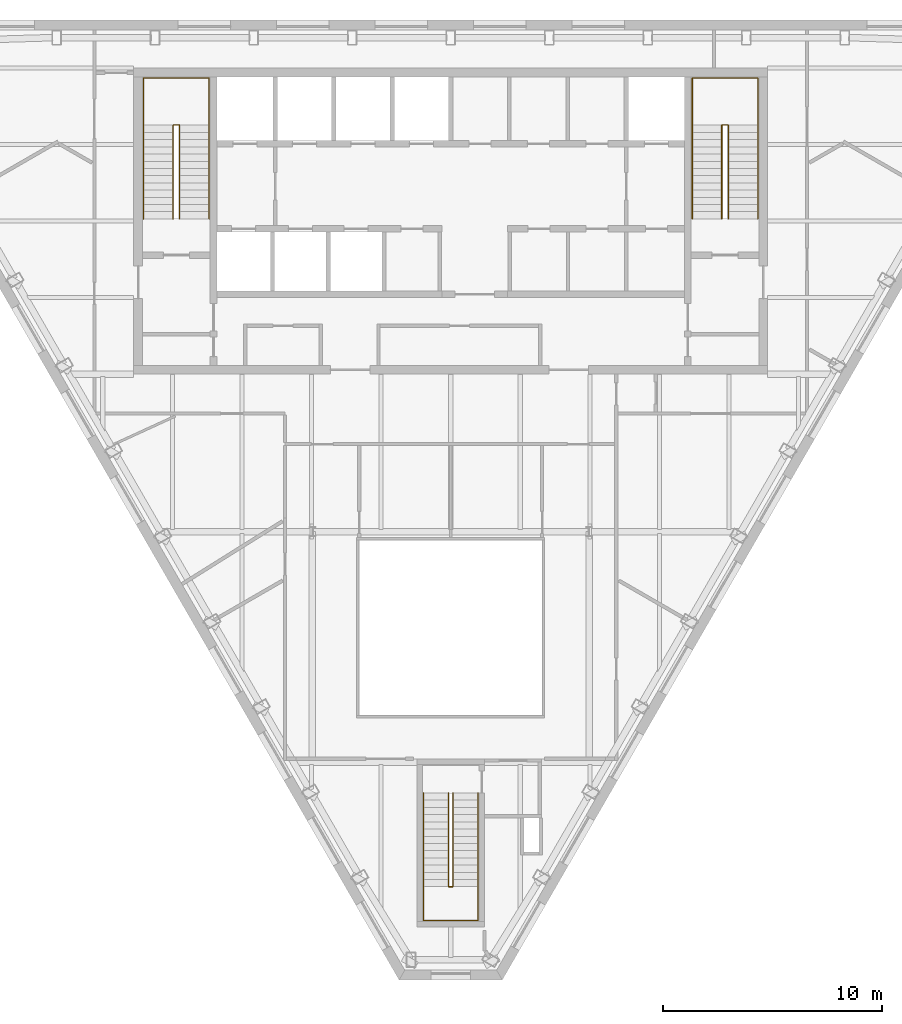
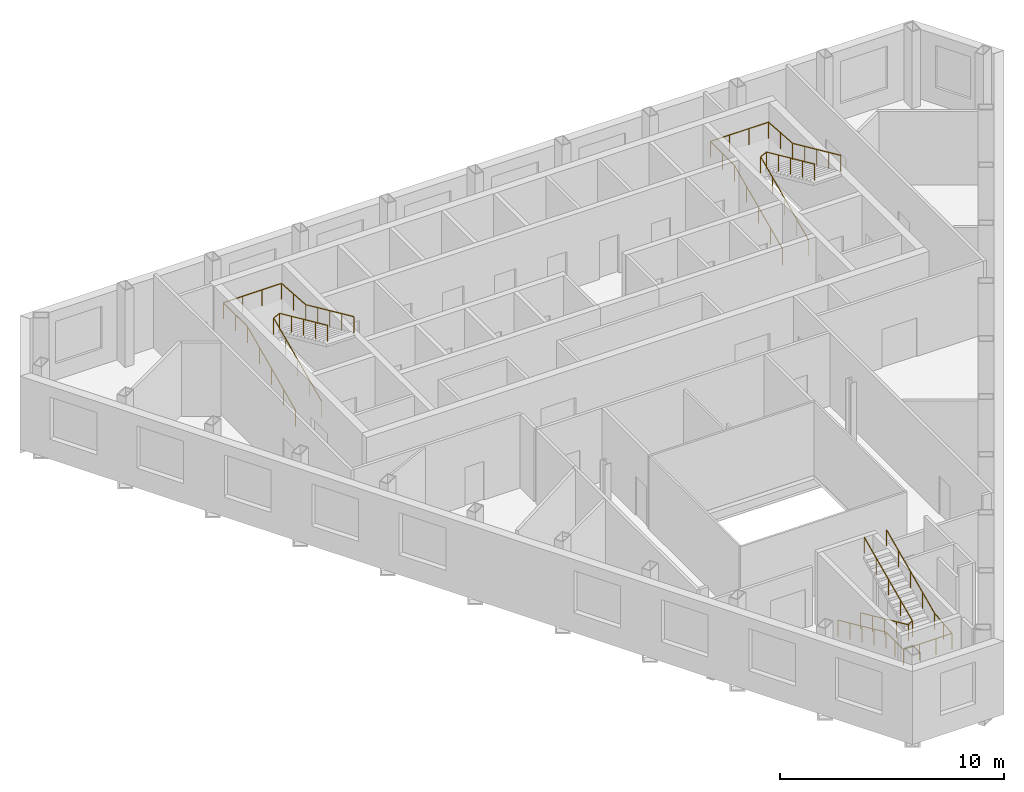
# One storey, part 10 of 10: 6 railings.
"""IFC4 building model written with IfcOpenShell, lengths in metres."""

import ifcopenshell
import ifcopenshell.guid

model = None  # the IFC model being written
_history = None  # IfcOwnerHistory: only IFC2X3 demands one
_inside = {}  # id of a spatial element -> (the spatial element, [elements in it])
_under = {}  # id of a project, library or spatial element -> (it, [spatial elements below it])
_declared = {}  # id of a project -> (the project, [libraries it declares])
_typed = {}  # id of a type object -> (the type object, [elements of that type])
_made_of = {}  # id of a material, layer set ... -> (it, [elements and type objects made of it])


def new_model(schema):
    """Start an empty IFC model of exactly this schema.

    Asked for "IFC4X3", IfcOpenShell would pick the latest addendum, in which some entities
    have other attributes; the version numbers below select the first issue.
    IFC2X3 requires an IfcOwnerHistory on every rooted entity: one is made here for all.
    """
    global model, _history
    if schema == "IFC4X3":
        model = ifcopenshell.file(schema_version=(4, 3, 0, 0))
    else:
        model = ifcopenshell.file(schema=schema)
    _inside.clear()
    _under.clear()
    _declared.clear()
    _typed.clear()
    _made_of.clear()
    _history = None
    if model.schema == "IFC2X3":
        org = make("IfcOrganization", Name="unknown")
        user = make(
            "IfcPersonAndOrganization",
            ThePerson=make("IfcPerson", FamilyName="unknown"),
            TheOrganization=org,
        )
        app = make(
            "IfcApplication",
            ApplicationDeveloper=org,
            Version="unknown",
            ApplicationFullName="unknown",
            ApplicationIdentifier="unknown",
        )
        _history = make(
            "IfcOwnerHistory",
            OwningUser=user,
            OwningApplication=app,
            ChangeAction="ADDED",
            CreationDate=0,
        )
    return model


def make(cls, **values):
    """One entity of the class cls with the attributes given. An attribute that is None is left unset."""
    return model.create_entity(
        cls, **{name: value for name, value in values.items() if value is not None}
    )


def rooted(cls, **values):
    """An entity with a GlobalId (a new one), such as an element, a storey or a relation."""
    return make(cls, GlobalId=ifcopenshell.guid.new(), OwnerHistory=_history, **values)


def si_unit(unit_type, name, prefix=None):
    """IfcSIUnit, for example si_unit("LENGTHUNIT", "METRE", prefix="MILLI")."""
    return make("IfcSIUnit", UnitType=unit_type, Prefix=prefix, Name=name)


def assignment(units):
    """IfcUnitAssignment: the units of a project."""
    return None if units is None else make("IfcUnitAssignment", Units=units)


def point(xyz):
    """IfcCartesianPoint."""
    return None if xyz is None else make("IfcCartesianPoint", Coordinates=xyz)


def direction(xyz):
    """IfcDirection."""
    return None if xyz is None else make("IfcDirection", DirectionRatios=xyz)


def frame(location, z_axis=None, x_axis=None):
    """IfcAxis2Placement3D, a coordinate frame: its origin and axes. An axis left out is left unset."""
    return make(
        "IfcAxis2Placement3D",
        Location=point(location),
        Axis=direction(z_axis),
        RefDirection=direction(x_axis),
    )


def frame_2d(location, x_axis=None):
    """IfcAxis2Placement2D, a coordinate frame in the plane: its origin and x axis."""
    return make(
        "IfcAxis2Placement2D", Location=point(location), RefDirection=direction(x_axis)
    )


def origin():
    """The frame at (0, 0, 0) with its axes left unset."""
    return frame((0.0, 0.0, 0.0))


def origin_2d():
    """The frame at (0, 0) in the plane with its x axis left unset."""
    return frame_2d((0.0, 0.0))


def place(relative_to, where):
    """IfcLocalPlacement: puts the frame where relative to a parent placement (None: the world)."""
    return make(
        "IfcLocalPlacement", PlacementRelTo=relative_to, RelativePlacement=where
    )


def context(
    kind, dimensions, precision=None, world=None, true_north=None, identifier=None
):
    """IfcGeometricRepresentationContext, for example the 3D "Model" context."""
    return make(
        "IfcGeometricRepresentationContext",
        ContextIdentifier=identifier,
        ContextType=kind,
        CoordinateSpaceDimension=dimensions,
        Precision=precision,
        WorldCoordinateSystem=world,
        TrueNorth=true_north,
    )


def subcontext(parent, identifier, kind, view, scale=None):
    """IfcGeometricRepresentationSubContext, for example "Body" below "Model"."""
    return make(
        "IfcGeometricRepresentationSubContext",
        ContextIdentifier=identifier,
        ContextType=kind,
        ParentContext=parent,
        TargetScale=scale,
        TargetView=view,
    )


def project(units=None, contexts=None):
    """IfcProject with its units and contexts."""
    return rooted(
        "IfcProject",
        Name="project",
        RepresentationContexts=contexts,
        UnitsInContext=assignment(units),
    )


def spatial(cls, under=None, at=None, **own):
    """A site, building, storey or space (cls), placed at a placement, below another one or the project."""
    s = rooted(cls, ObjectPlacement=at, **own)
    if under is not None:
        _under.setdefault(under.id(), (under, []))[1].append(s)
    return s


def profile(cls, at=None, kind="AREA", **sizes):
    """A parametric profile (cls). Its sizes go by their IFC names, for example OverallWidth=200.0."""
    return make(cls, ProfileType=kind, Position=at, **sizes)


def circle(**sizes):
    """IfcCircleProfileDef."""
    return profile("IfcCircleProfileDef", **sizes)


def extrude(swept, where, along, depth):
    """IfcExtrudedAreaSolid: the profile swept, set in the frame where, extruded along a direction by depth."""
    return make(
        "IfcExtrudedAreaSolid",
        SweptArea=swept,
        Position=where,
        ExtrudedDirection=direction(along),
        Depth=depth,
    )


def shape(context_of_items, identifier, shape_type, items):
    """IfcShapeRepresentation: the items that make up one representation, for example the "Body"."""
    return make(
        "IfcShapeRepresentation",
        ContextOfItems=context_of_items,
        RepresentationIdentifier=identifier,
        RepresentationType=shape_type,
        Items=items,
    )


def material(Name=None, Category=None):
    """IfcMaterial."""
    return make("IfcMaterial", Name=Name, Category=Category)


def made_of(thing, what):
    """Note that an element or type object is made of a material, layer set ...; save() writes the relation."""
    if what is not None:
        _made_of.setdefault(what.id(), (what, []))[1].append(thing)
    return thing


def type_object(cls, material=None, **own):
    """A type object (cls), such as IfcWallType, which elements share."""
    return made_of(rooted(cls, **own), material)


def element(
    cls,
    number,
    at=None,
    inside=None,
    cuts=None,
    type_object=None,
    material=None,
    context=None,
    identifier="Body",
    shape_type=None,
    held_by="IfcProductDefinitionShape",
    body=None,
    shapes=None,
    **own,
):
    """One element of the class cls, such as IfcWall. Its Tag is "e" and its number.

    at: its placement. inside: the storey or other place that contains it. cuts: it is an
    opening in that element (IfcRelVoidsElement). A single representation is given by context,
    identifier, shape_type and body (its items); several are given by shapes. held_by: the class
    of the entity that holds the representations. save() writes the other relations.
    """
    e = rooted(cls, Tag="e%d" % number, ObjectPlacement=at, **own)
    if body is not None:
        shapes = [shape(context, identifier, shape_type, body)]
    if shapes is not None:
        e.Representation = make(held_by, Representations=shapes)
    if inside is not None:
        _inside.setdefault(inside.id(), (inside, []))[1].append(e)
    if cuts is not None:
        rooted(
            "IfcRelVoidsElement", RelatingBuildingElement=cuts, RelatedOpeningElement=e
        )
    if type_object is not None:
        _typed.setdefault(type_object.id(), (type_object, []))[1].append(e)
    return made_of(e, material)


def aggregate(whole, parts):
    """IfcRelAggregates: a whole, such as a stair, and the parts it consists of."""
    return rooted("IfcRelAggregates", RelatingObject=whole, RelatedObjects=parts)


def save(model, path):
    """Write the relations noted so far, then the file.

    IfcRelAggregates (storeys below a building ...), IfcRelContainedInSpatialStructure (elements
    in a storey), IfcRelDefinesByType, IfcRelAssociatesMaterial and IfcRelDeclares: one each for
    every whole, place, type object, material and project.
    """
    for whole, parts in _under.values():
        aggregate(whole, parts)
    for where, things in _inside.values():
        rooted(
            "IfcRelContainedInSpatialStructure",
            RelatedElements=things,
            RelatingStructure=where,
        )
    for kind, things in _typed.values():
        rooted("IfcRelDefinesByType", RelatedObjects=things, RelatingType=kind)
    for what, things in _made_of.values():
        rooted("IfcRelAssociatesMaterial", RelatedObjects=things, RelatingMaterial=what)
    for by, libraries in _declared.values():
        rooted("IfcRelDeclares", RelatingContext=by, RelatedDefinitions=libraries)
    model.write(path)


model = new_model("IFC4")

# Units and contexts
model_context = context("Model", 3, precision=1e-05, world=origin(), true_north=direction((0.0, 1.0)))
body_context = subcontext(model_context, "Body", "Model", "MODEL_VIEW")
ifc_project = project(units=[si_unit("LENGTHUNIT", "METRE"), si_unit("AREAUNIT", "SQUARE_METRE"), si_unit("VOLUMEUNIT", "CUBIC_METRE"), si_unit("PLANEANGLEUNIT", "RADIAN"), si_unit("MASSUNIT", "GRAM", prefix="KILO")], contexts=[model_context])

# Site, building, storey
site_placement = place(None, origin())
site = spatial("IfcSite", under=ifc_project, at=site_placement, CompositionType="ELEMENT")
building_placement = place(site_placement, origin())
building = spatial("IfcBuilding", under=site, at=building_placement, Name="Njiva Tower", CompositionType="ELEMENT")
storey_placement = place(building_placement, frame((0.0, 0.0, 304.2)))
storey = spatial("IfcBuildingStorey", under=building, at=storey_placement, Name="L69", CompositionType="ELEMENT", Elevation=304.2)

# Railings
ifc_material = material(Name="Stainless steel", Category="steel")
railing_type = type_object("IfcRailingType", Name="RL1 Stair handrail 900", PredefinedType="HANDRAIL", material=ifc_material)
railing_1_placement = place(storey_placement, frame((-14.05, 11.1, 0.15)))
element("IfcRailing", 1, at=railing_1_placement, inside=storey, type_object=railing_type, Name="Stair A handrail", PredefinedType="HANDRAIL", context=body_context, shape_type="SweptSolid", body=[
    extrude(circle(Radius=0.024, at=origin_2d()), frame((0.0, 0.0, 0.876), z_axis=(0.0, 0.910366477463, 0.413802944301), x_axis=(-1.0, 0.0, 0.0)), (0.0, 0.0, 1.0), 4.7124),
    extrude(circle(Radius=0.024, at=origin_2d()), frame((0.0, 4.29, 2.826), z_axis=(0.0, 1.0, 0.0), x_axis=(-1.0, 0.0, 0.0)), (0.0, 0.0, 1.0), 2.16),
    extrude(circle(Radius=0.024, at=origin_2d()), frame((0.0, 6.45, 2.826), z_axis=(1.0, 0.0, 0.0), x_axis=(0.0, 1.0, 0.0)), (0.0, 0.0, 1.0), 3.0),
    extrude(circle(Radius=0.024, at=origin_2d()), frame((3.0, 6.45, 2.826), z_axis=(0.0, -0.997597420968, 0.069277598678), x_axis=(1.0, 0.0, 0.0)), (0.0, 0.0, 1.0), 2.1652),
    extrude(circle(Radius=0.024, at=origin_2d()), frame((3.0, 4.29, 2.976), z_axis=(0.0, -0.910366477463, 0.413802944301), x_axis=(1.0, 0.0, 0.0)), (0.0, 0.0, 1.0), 4.7124),
    extrude(circle(Radius=0.021, at=origin_2d()), origin(), (0.0, 0.0, 1.0), 0.852),
    extrude(circle(Radius=0.021, at=origin_2d()), frame((0.0, 1.0725, 0.4875)), (0.0, 0.0, 1.0), 0.852),
    extrude(circle(Radius=0.021, at=origin_2d()), frame((0.0, 2.145, 0.975)), (0.0, 0.0, 1.0), 0.852),
    extrude(circle(Radius=0.021, at=origin_2d()), frame((0.0, 3.2175, 1.4625)), (0.0, 0.0, 1.0), 0.852),
    extrude(circle(Radius=0.021, at=origin_2d()), frame((0.0, 4.29, 1.95)), (0.0, 0.0, 1.0), 0.852),
    extrude(circle(Radius=0.021, at=origin_2d()), frame((0.0, 5.37, 1.95)), (0.0, 0.0, 1.0), 0.852),
    extrude(circle(Radius=0.021, at=origin_2d()), frame((0.0, 6.45, 1.95)), (0.0, 0.0, 1.0), 0.852),
    extrude(circle(Radius=0.021, at=origin_2d()), frame((1.0, 6.45, 1.95)), (0.0, 0.0, 1.0), 0.852),
    extrude(circle(Radius=0.021, at=origin_2d()), frame((2.0, 6.45, 1.95)), (0.0, 0.0, 1.0), 0.852),
    extrude(circle(Radius=0.021, at=origin_2d()), frame((3.0, 6.45, 1.95)), (0.0, 0.0, 1.0), 0.852),
    extrude(circle(Radius=0.021, at=origin_2d()), frame((3.0, 5.37, 2.025)), (0.0, 0.0, 1.0), 0.852),
    extrude(circle(Radius=0.021, at=origin_2d()), frame((3.0, 4.29, 2.1)), (0.0, 0.0, 1.0), 0.852),
    extrude(circle(Radius=0.021, at=origin_2d()), frame((3.0, 3.2175, 2.5875)), (0.0, 0.0, 1.0), 0.852),
    extrude(circle(Radius=0.021, at=origin_2d()), frame((3.0, 2.145, 3.075)), (0.0, 0.0, 1.0), 0.852),
    extrude(circle(Radius=0.021, at=origin_2d()), frame((3.0, 1.0725, 3.5625)), (0.0, 0.0, 1.0), 0.852),
    extrude(circle(Radius=0.021, at=origin_2d()), frame((3.0, 0.0, 4.05)), (0.0, 0.0, 1.0), 0.852),
])
railing_2_placement = place(storey_placement, frame((-12.7, 11.1, 0.15)))
element("IfcRailing", 2, at=railing_2_placement, inside=storey, type_object=railing_type, Name="Stair A handrail", PredefinedType="HANDRAIL", context=body_context, shape_type="SweptSolid", body=[
    extrude(circle(Radius=0.024, at=origin_2d()), frame((0.0, 0.0, 0.876), z_axis=(0.0, 0.910366477463, 0.413802944301), x_axis=(-1.0, 0.0, 0.0)), (0.0, 0.0, 1.0), 4.7124),
    extrude(circle(Radius=0.024, at=origin_2d()), frame((0.0, 4.29, 2.826), z_axis=(0.894427191, 0.0, 0.4472135955), x_axis=(0.0, 1.0, 0.0)), (0.0, 0.0, 1.0), 0.3354),
    extrude(circle(Radius=0.024, at=origin_2d()), frame((0.3, 4.29, 2.976), z_axis=(0.0, -0.910366477463, 0.413802944301), x_axis=(1.0, 0.0, 0.0)), (0.0, 0.0, 1.0), 4.7124),
    extrude(circle(Radius=0.021, at=origin_2d()), origin(), (0.0, 0.0, 1.0), 0.852),
    extrude(circle(Radius=0.021, at=origin_2d()), frame((0.0, 1.0725, 0.4875)), (0.0, 0.0, 1.0), 0.852),
    extrude(circle(Radius=0.021, at=origin_2d()), frame((0.0, 2.145, 0.975)), (0.0, 0.0, 1.0), 0.852),
    extrude(circle(Radius=0.021, at=origin_2d()), frame((0.0, 3.2175, 1.4625)), (0.0, 0.0, 1.0), 0.852),
    extrude(circle(Radius=0.021, at=origin_2d()), frame((0.0, 4.29, 1.95)), (0.0, 0.0, 1.0), 0.852),
    extrude(circle(Radius=0.021, at=origin_2d()), frame((0.3, 4.29, 2.1)), (0.0, 0.0, 1.0), 0.852),
    extrude(circle(Radius=0.021, at=origin_2d()), frame((0.3, 3.2175, 2.5875)), (0.0, 0.0, 1.0), 0.852),
    extrude(circle(Radius=0.021, at=origin_2d()), frame((0.3, 2.145, 3.075)), (0.0, 0.0, 1.0), 0.852),
    extrude(circle(Radius=0.021, at=origin_2d()), frame((0.3, 1.0725, 3.5625)), (0.0, 0.0, 1.0), 0.852),
    extrude(circle(Radius=0.021, at=origin_2d()), frame((0.3, 0.0, 4.05)), (0.0, 0.0, 1.0), 0.852),
])
railing_3_placement = place(storey_placement, frame((11.05, 11.1, 0.15)))
element("IfcRailing", 3, at=railing_3_placement, inside=storey, type_object=railing_type, Name="Stair B handrail", PredefinedType="HANDRAIL", context=body_context, shape_type="SweptSolid", body=[
    extrude(circle(Radius=0.024, at=origin_2d()), frame((0.0, 0.0, 0.876), z_axis=(0.0, 0.910366477463, 0.413802944301), x_axis=(-1.0, 0.0, 0.0)), (0.0, 0.0, 1.0), 4.7124),
    extrude(circle(Radius=0.024, at=origin_2d()), frame((0.0, 4.29, 2.826), z_axis=(0.0, 1.0, 0.0), x_axis=(-1.0, 0.0, 0.0)), (0.0, 0.0, 1.0), 2.16),
    extrude(circle(Radius=0.024, at=origin_2d()), frame((0.0, 6.45, 2.826), z_axis=(1.0, 0.0, 0.0), x_axis=(0.0, 1.0, 0.0)), (0.0, 0.0, 1.0), 3.0),
    extrude(circle(Radius=0.024, at=origin_2d()), frame((3.0, 6.45, 2.826), z_axis=(0.0, -0.997597420968, 0.069277598678), x_axis=(1.0, 0.0, 0.0)), (0.0, 0.0, 1.0), 2.1652),
    extrude(circle(Radius=0.024, at=origin_2d()), frame((3.0, 4.29, 2.976), z_axis=(0.0, -0.910366477463, 0.413802944301), x_axis=(1.0, 0.0, 0.0)), (0.0, 0.0, 1.0), 4.7124),
    extrude(circle(Radius=0.021, at=origin_2d()), origin(), (0.0, 0.0, 1.0), 0.852),
    extrude(circle(Radius=0.021, at=origin_2d()), frame((0.0, 1.0725, 0.4875)), (0.0, 0.0, 1.0), 0.852),
    extrude(circle(Radius=0.021, at=origin_2d()), frame((0.0, 2.145, 0.975)), (0.0, 0.0, 1.0), 0.852),
    extrude(circle(Radius=0.021, at=origin_2d()), frame((0.0, 3.2175, 1.4625)), (0.0, 0.0, 1.0), 0.852),
    extrude(circle(Radius=0.021, at=origin_2d()), frame((0.0, 4.29, 1.95)), (0.0, 0.0, 1.0), 0.852),
    extrude(circle(Radius=0.021, at=origin_2d()), frame((0.0, 5.37, 1.95)), (0.0, 0.0, 1.0), 0.852),
    extrude(circle(Radius=0.021, at=origin_2d()), frame((0.0, 6.45, 1.95)), (0.0, 0.0, 1.0), 0.852),
    extrude(circle(Radius=0.021, at=origin_2d()), frame((1.0, 6.45, 1.95)), (0.0, 0.0, 1.0), 0.852),
    extrude(circle(Radius=0.021, at=origin_2d()), frame((2.0, 6.45, 1.95)), (0.0, 0.0, 1.0), 0.852),
    extrude(circle(Radius=0.021, at=origin_2d()), frame((3.0, 6.45, 1.95)), (0.0, 0.0, 1.0), 0.852),
    extrude(circle(Radius=0.021, at=origin_2d()), frame((3.0, 5.37, 2.025)), (0.0, 0.0, 1.0), 0.852),
    extrude(circle(Radius=0.021, at=origin_2d()), frame((3.0, 4.29, 2.1)), (0.0, 0.0, 1.0), 0.852),
    extrude(circle(Radius=0.021, at=origin_2d()), frame((3.0, 3.2175, 2.5875)), (0.0, 0.0, 1.0), 0.852),
    extrude(circle(Radius=0.021, at=origin_2d()), frame((3.0, 2.145, 3.075)), (0.0, 0.0, 1.0), 0.852),
    extrude(circle(Radius=0.021, at=origin_2d()), frame((3.0, 1.0725, 3.5625)), (0.0, 0.0, 1.0), 0.852),
    extrude(circle(Radius=0.021, at=origin_2d()), frame((3.0, 0.0, 4.05)), (0.0, 0.0, 1.0), 0.852),
])
railing_4_placement = place(storey_placement, frame((12.4, 11.1, 0.15)))
element("IfcRailing", 4, at=railing_4_placement, inside=storey, type_object=railing_type, Name="Stair B handrail", PredefinedType="HANDRAIL", context=body_context, shape_type="SweptSolid", body=[
    extrude(circle(Radius=0.024, at=origin_2d()), frame((0.0, 0.0, 0.876), z_axis=(0.0, 0.910366477463, 0.413802944301), x_axis=(-1.0, 0.0, 0.0)), (0.0, 0.0, 1.0), 4.7124),
    extrude(circle(Radius=0.024, at=origin_2d()), frame((0.0, 4.29, 2.826), z_axis=(0.894427191, 0.0, 0.4472135955), x_axis=(0.0, 1.0, 0.0)), (0.0, 0.0, 1.0), 0.3354),
    extrude(circle(Radius=0.024, at=origin_2d()), frame((0.3, 4.29, 2.976), z_axis=(0.0, -0.910366477463, 0.413802944301), x_axis=(1.0, 0.0, 0.0)), (0.0, 0.0, 1.0), 4.7124),
    extrude(circle(Radius=0.021, at=origin_2d()), origin(), (0.0, 0.0, 1.0), 0.852),
    extrude(circle(Radius=0.021, at=origin_2d()), frame((0.0, 1.0725, 0.4875)), (0.0, 0.0, 1.0), 0.852),
    extrude(circle(Radius=0.021, at=origin_2d()), frame((0.0, 2.145, 0.975)), (0.0, 0.0, 1.0), 0.852),
    extrude(circle(Radius=0.021, at=origin_2d()), frame((0.0, 3.2175, 1.4625)), (0.0, 0.0, 1.0), 0.852),
    extrude(circle(Radius=0.021, at=origin_2d()), frame((0.0, 4.29, 1.95)), (0.0, 0.0, 1.0), 0.852),
    extrude(circle(Radius=0.021, at=origin_2d()), frame((0.3, 4.29, 2.1)), (0.0, 0.0, 1.0), 0.852),
    extrude(circle(Radius=0.021, at=origin_2d()), frame((0.3, 3.2175, 2.5875)), (0.0, 0.0, 1.0), 0.852),
    extrude(circle(Radius=0.021, at=origin_2d()), frame((0.3, 2.145, 3.075)), (0.0, 0.0, 1.0), 0.852),
    extrude(circle(Radius=0.021, at=origin_2d()), frame((0.3, 1.0725, 3.5625)), (0.0, 0.0, 1.0), 0.852),
    extrude(circle(Radius=0.021, at=origin_2d()), frame((0.3, 0.0, 4.05)), (0.0, 0.0, 1.0), 0.852),
])
railing_5_placement = place(storey_placement, frame((-1.25, -15.16, 0.15)))
element("IfcRailing", 5, at=railing_5_placement, inside=storey, type_object=railing_type, Name="Stair C handrail", PredefinedType="HANDRAIL", context=body_context, shape_type="SweptSolid", body=[
    extrude(circle(Radius=0.024, at=origin_2d()), frame((0.0, 0.0, 0.876), z_axis=(0.0, -0.910366477463, 0.413802944301), x_axis=(1.0, 0.0, 0.0)), (0.0, 0.0, 1.0), 4.7124),
    extrude(circle(Radius=0.024, at=origin_2d()), frame((0.0, -4.29, 2.826), z_axis=(0.0, -1.0, 0.0), x_axis=(1.0, 0.0, 0.0)), (0.0, 0.0, 1.0), 1.55),
    extrude(circle(Radius=0.024, at=origin_2d()), frame((0.0, -5.84, 2.826), z_axis=(1.0, 0.0, 0.0), x_axis=(0.0, 1.0, 0.0)), (0.0, 0.0, 1.0), 2.5),
    extrude(circle(Radius=0.024, at=origin_2d()), frame((2.5, -5.84, 2.826), z_axis=(0.0, 0.995350013555, 0.09632419486), x_axis=(-1.0, 0.0, 0.0)), (0.0, 0.0, 1.0), 1.5572),
    extrude(circle(Radius=0.024, at=origin_2d()), frame((2.5, -4.29, 2.976), z_axis=(0.0, 0.910366477463, 0.413802944301), x_axis=(-1.0, 0.0, 0.0)), (0.0, 0.0, 1.0), 4.7124),
    extrude(circle(Radius=0.021, at=origin_2d()), origin(), (0.0, 0.0, 1.0), 0.852),
    extrude(circle(Radius=0.021, at=origin_2d()), frame((0.0, -1.0725, 0.4875)), (0.0, 0.0, 1.0), 0.852),
    extrude(circle(Radius=0.021, at=origin_2d()), frame((0.0, -2.145, 0.975)), (0.0, 0.0, 1.0), 0.852),
    extrude(circle(Radius=0.021, at=origin_2d()), frame((0.0, -3.2175, 1.4625)), (0.0, 0.0, 1.0), 0.852),
    extrude(circle(Radius=0.021, at=origin_2d()), frame((0.0, -4.29, 1.95)), (0.0, 0.0, 1.0), 0.852),
    extrude(circle(Radius=0.021, at=origin_2d()), frame((0.0, -5.065, 1.95)), (0.0, 0.0, 1.0), 0.852),
    extrude(circle(Radius=0.021, at=origin_2d()), frame((0.0, -5.84, 1.95)), (0.0, 0.0, 1.0), 0.852),
    extrude(circle(Radius=0.021, at=origin_2d()), frame((0.8333, -5.84, 1.95)), (0.0, 0.0, 1.0), 0.852),
    extrude(circle(Radius=0.021, at=origin_2d()), frame((1.6667, -5.84, 1.95)), (0.0, 0.0, 1.0), 0.852),
    extrude(circle(Radius=0.021, at=origin_2d()), frame((2.5, -5.84, 1.95)), (0.0, 0.0, 1.0), 0.852),
    extrude(circle(Radius=0.021, at=origin_2d()), frame((2.5, -5.065, 2.025)), (0.0, 0.0, 1.0), 0.852),
    extrude(circle(Radius=0.021, at=origin_2d()), frame((2.5, -4.29, 2.1)), (0.0, 0.0, 1.0), 0.852),
    extrude(circle(Radius=0.021, at=origin_2d()), frame((2.5, -3.2175, 2.5875)), (0.0, 0.0, 1.0), 0.852),
    extrude(circle(Radius=0.021, at=origin_2d()), frame((2.5, -2.145, 3.075)), (0.0, 0.0, 1.0), 0.852),
    extrude(circle(Radius=0.021, at=origin_2d()), frame((2.5, -1.0725, 3.5625)), (0.0, 0.0, 1.0), 0.852),
    extrude(circle(Radius=0.021, at=origin_2d()), frame((2.5, 0.0, 4.05)), (0.0, 0.0, 1.0), 0.852),
])
railing_6_placement = place(storey_placement, frame((-0.1, -15.16, 0.15)))
element("IfcRailing", 6, at=railing_6_placement, inside=storey, type_object=railing_type, Name="Stair C handrail", PredefinedType="HANDRAIL", context=body_context, shape_type="SweptSolid", body=[
    extrude(circle(Radius=0.024, at=origin_2d()), frame((0.0, 0.0, 0.876), z_axis=(0.0, -0.910366477463, 0.413802944301), x_axis=(1.0, 0.0, 0.0)), (0.0, 0.0, 1.0), 4.7124),
    extrude(circle(Radius=0.024, at=origin_2d()), frame((0.0, -4.29, 2.826), z_axis=(0.8, 0.0, 0.6), x_axis=(0.0, 1.0, 0.0)), (0.0, 0.0, 1.0), 0.25),
    extrude(circle(Radius=0.024, at=origin_2d()), frame((0.2, -4.29, 2.976), z_axis=(0.0, 0.910366477463, 0.413802944301), x_axis=(-1.0, 0.0, 0.0)), (0.0, 0.0, 1.0), 4.7124),
    extrude(circle(Radius=0.021, at=origin_2d()), origin(), (0.0, 0.0, 1.0), 0.852),
    extrude(circle(Radius=0.021, at=origin_2d()), frame((0.0, -1.0725, 0.4875)), (0.0, 0.0, 1.0), 0.852),
    extrude(circle(Radius=0.021, at=origin_2d()), frame((0.0, -2.145, 0.975)), (0.0, 0.0, 1.0), 0.852),
    extrude(circle(Radius=0.021, at=origin_2d()), frame((0.0, -3.2175, 1.4625)), (0.0, 0.0, 1.0), 0.852),
    extrude(circle(Radius=0.021, at=origin_2d()), frame((0.0, -4.29, 1.95)), (0.0, 0.0, 1.0), 0.852),
    extrude(circle(Radius=0.021, at=origin_2d()), frame((0.2, -4.29, 2.1)), (0.0, 0.0, 1.0), 0.852),
    extrude(circle(Radius=0.021, at=origin_2d()), frame((0.2, -3.2175, 2.5875)), (0.0, 0.0, 1.0), 0.852),
    extrude(circle(Radius=0.021, at=origin_2d()), frame((0.2, -2.145, 3.075)), (0.0, 0.0, 1.0), 0.852),
    extrude(circle(Radius=0.021, at=origin_2d()), frame((0.2, -1.0725, 3.5625)), (0.0, 0.0, 1.0), 0.852),
    extrude(circle(Radius=0.021, at=origin_2d()), frame((0.2, 0.0, 4.05)), (0.0, 0.0, 1.0), 0.852),
])

save(model, "model.ifc")
